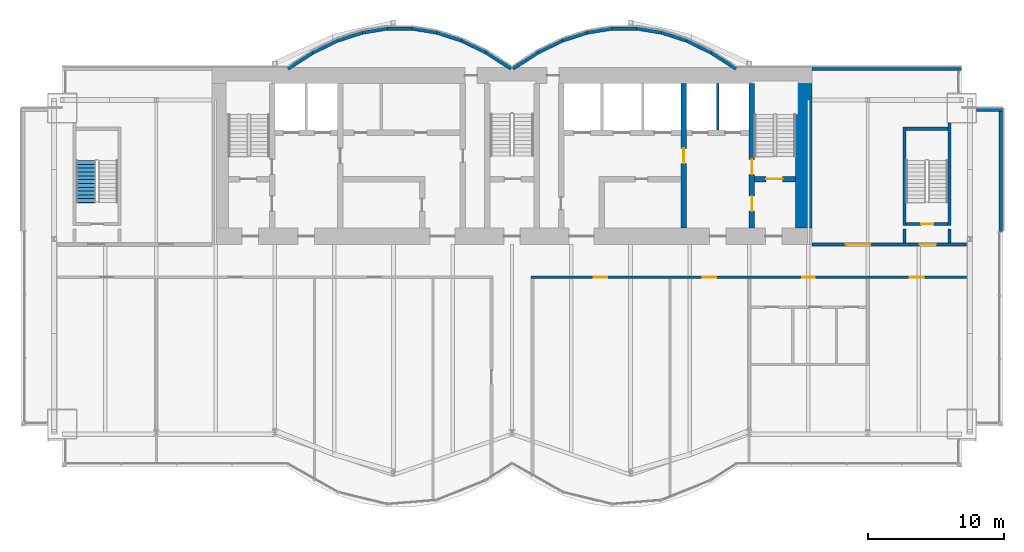
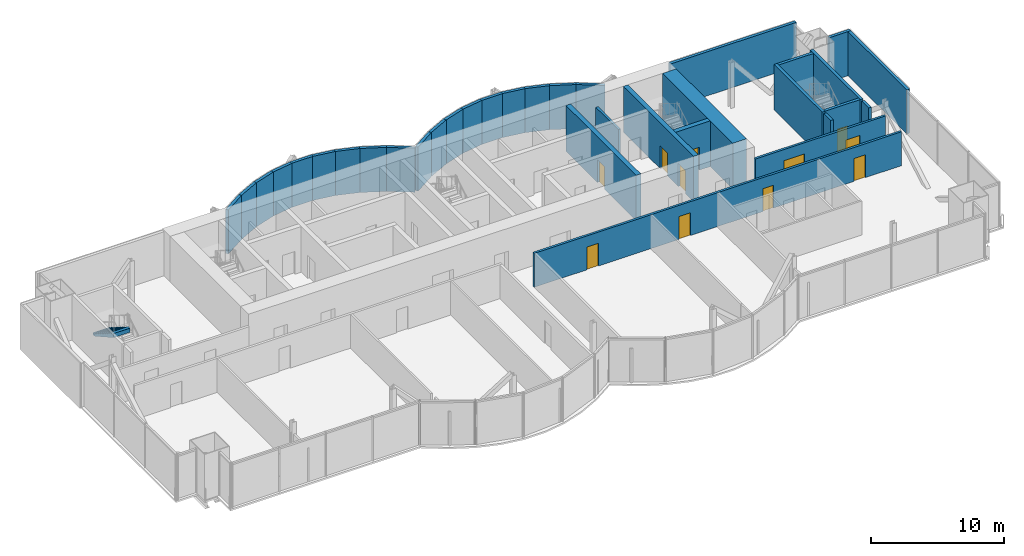
# One storey, part 15 of 19: 34 walls, 11 doors, 1 stair flight, 11 openings, 1 element without a shape of its own.
"""IFC4 building model written with IfcOpenShell, lengths in metres."""

from ifc_helpers import new_model, si_unit, direction, frame, frame_2d, origin, place, context, subcontext, project, spatial, polyline, rectangle, outline, extrude, material, layer, layer_set, layer_usage, type_object, element, fill, aggregate, save


model = new_model("IFC4")

# Units and contexts
model_context = context("Model", 3, precision=1e-05, world=origin(), true_north=direction((0.0, 1.0)))
body_context = subcontext(model_context, "Body", "Model", "MODEL_VIEW")
ifc_project = project(units=[si_unit("LENGTHUNIT", "METRE"), si_unit("AREAUNIT", "SQUARE_METRE"), si_unit("VOLUMEUNIT", "CUBIC_METRE"), si_unit("PLANEANGLEUNIT", "RADIAN"), si_unit("MASSUNIT", "GRAM", prefix="KILO")], contexts=[model_context])

# Site, building, storey
site_placement = place(None, origin())
site = spatial("IfcSite", under=ifc_project, at=site_placement, CompositionType="ELEMENT")
building_placement = place(site_placement, origin())
building = spatial("IfcBuilding", under=site, at=building_placement, Name="Bicima Exchange Tower", CompositionType="ELEMENT")
storey_placement = place(building_placement, frame((0.0, 0.0, 258.199951171875)))
storey = spatial("IfcBuildingStorey", under=building, at=storey_placement, Name="L58", CompositionType="ELEMENT", Elevation=258.199951171875)

# Wall
ifc_material_1 = material(Name="Gypsum board partition")
ifc_layer_1 = layer(ifc_material_1, 0.199951171875)
ifc_layer_set_1 = layer_set([ifc_layer_1], Name="Gypsum board partition")
wall_type_1 = type_object("IfcWallType", Name="Fire-rated gypsum partition 200 EI120", PredefinedType="PARTITIONING", material=ifc_layer_set_1)
wall_1_placement = place(storey_placement, frame((15.10009765625, -4.60009765625, 0.0), z_axis=(0.0, 0.0, 1.0), x_axis=(0.0, 1.0, 0.0)))
element("IfcWall", 1, at=wall_1_placement, inside=storey, type_object=wall_type_1, Name="partition wall 21", PredefinedType="PARTITIONING", context=body_context, shape_type="SweptSolid", body=[
    extrude(rectangle(XDim=3.400146484375, YDim=0.199951171875, at=frame_2d((1.7001953125, 0.0))), origin(), (0.0, 0.0, 1.0), 3.1181640625),
])

# Wall, openings, doors
ifc_layer_2 = layer(ifc_material_1, 0.199951171875)
ifc_layer_set_2 = layer_set([ifc_layer_2], Name="Gypsum board partition")
wall_type_2 = type_object("IfcWallType", Name="Fire-rated gypsum partition 200 EI60", PredefinedType="PARTITIONING", material=ifc_layer_set_2)
wall_2_placement = place(storey_placement, frame((1.39990234375, -15.39990234375, 0.0), z_axis=(0.0, 0.0, 1.0), x_axis=(1.0, 0.0, 0.0)))
wall_2 = element("IfcWall", 2, at=wall_2_placement, inside=storey, type_object=wall_type_2, Name="partition wall 4", PredefinedType="PARTITIONING", context=body_context, shape_type="SweptSolid", body=[
    extrude(rectangle(XDim=31.940185546875, YDim=0.199951171875, at=frame_2d((15.97021484375, 0.0))), origin(), (0.0, 0.0, 1.0), 3.1181640625),
])
opening_1_placement = place(wall_2_placement, frame((4.60009765625, 0.0, 0.0)))
opening_1 = element("IfcOpeningElement", 3, at=opening_1_placement, cuts=wall_2, Name="Opening L58-011", PredefinedType="OPENING", context=body_context, shape_type="SweptSolid", body=[
    extrude(rectangle(XDim=1.0, YDim=2.10009765625, at=frame_2d((0.5, 1.050048828125))), frame((0.0, 0.11181640625, 0.0), z_axis=(0.0, -1.0, 0.0), x_axis=(1.0, 0.0, 0.0)), (0.0, 0.0, 1.0), 0.223876953125),
])
opening_2_placement = place(wall_2_placement, frame((12.60009765625, 0.0, 0.0)))
opening_2 = element("IfcOpeningElement", 4, at=opening_2_placement, cuts=wall_2, Name="Opening L58-012", PredefinedType="OPENING", context=body_context, shape_type="SweptSolid", body=[
    extrude(rectangle(XDim=1.0, YDim=2.10009765625, at=frame_2d((0.5, 1.050048828125))), frame((0.0, 0.11181640625, 0.0), z_axis=(0.0, -1.0, 0.0), x_axis=(1.0, 0.0, 0.0)), (0.0, 0.0, 1.0), 0.223876953125),
])
opening_3_placement = place(wall_2_placement, frame((19.89990234375, 0.0, 0.0)))
opening_3 = element("IfcOpeningElement", 5, at=opening_3_placement, cuts=wall_2, Name="Opening L58-013", PredefinedType="OPENING", context=body_context, shape_type="SweptSolid", body=[
    extrude(rectangle(XDim=0.89990234375, YDim=2.10009765625, at=frame_2d((0.449951171875, 1.050048828125))), frame((0.0, 0.11181640625, 0.0), z_axis=(0.0, -1.0, 0.0), x_axis=(1.0, 0.0, 0.0)), (0.0, 0.0, 1.0), 0.223876953125),
])
opening_4_placement = place(wall_2_placement, frame((27.800048828125, 0.0, 0.0)))
opening_4 = element("IfcOpeningElement", 6, at=opening_4_placement, cuts=wall_2, Name="Opening L58-017", PredefinedType="OPENING", context=body_context, shape_type="SweptSolid", body=[
    extrude(rectangle(XDim=1.0, YDim=2.10009765625, at=frame_2d((0.5, 1.050048828125))), frame((0.0, 0.11181640625, 0.0), z_axis=(0.0, -1.0, 0.0), x_axis=(1.0, 0.0, 0.0)), (0.0, 0.0, 1.0), 0.223876953125),
])
ifc_material_2 = material(Name="Steel fire door leaf", Category="steel")
door_type_1 = type_object("IfcDoorType", Name="Door 1000 swing FD30S", OperationType="SINGLE_SWING_LEFT", PredefinedType="DOOR", material=ifc_material_2)
door_1_placement = place(opening_1_placement, frame((1.0, 0.0, 0.0), z_axis=(0.0, 0.0, 1.0), x_axis=(-1.0, 0.0, 0.0)))
door_1 = element("IfcDoor", 7, at=door_1_placement, inside=storey, type_object=door_type_1, Name="Door", OperationType="SINGLE_SWING_RIGHT", OverallHeight=2.10009765625, OverallWidth=1.0, PredefinedType="DOOR", context=body_context, shape_type="SweptSolid", body=[
    extrude(rectangle(XDim=1.0, YDim=2.10009765625, at=frame_2d((0.5, 1.050048828125))), frame((0.0, 0.02490234375, 0.0), z_axis=(0.0, -1.0, 0.0), x_axis=(1.0, 0.0, 0.0)), (0.0, 0.0, 1.0), 0.050048828125),
])
fill(opening_1, door_1)
door_2_placement = place(opening_2_placement, frame((1.0, 0.0, 0.0), z_axis=(0.0, 0.0, 1.0), x_axis=(-1.0, 0.0, 0.0)))
door_2 = element("IfcDoor", 8, at=door_2_placement, inside=storey, type_object=door_type_1, Name="Door", OperationType="SINGLE_SWING_RIGHT", OverallHeight=2.10009765625, OverallWidth=1.0, PredefinedType="DOOR", context=body_context, shape_type="SweptSolid", body=[
    extrude(rectangle(XDim=1.0, YDim=2.10009765625, at=frame_2d((0.5, 1.050048828125))), frame((0.0, 0.02490234375, 0.0), z_axis=(0.0, -1.0, 0.0), x_axis=(1.0, 0.0, 0.0)), (0.0, 0.0, 1.0), 0.050048828125),
])
fill(opening_2, door_2)
door_3_placement = place(opening_4_placement, frame((1.0, 0.0, 0.0), z_axis=(0.0, 0.0, 1.0), x_axis=(-1.0, 0.0, 0.0)))
door_3 = element("IfcDoor", 9, at=door_3_placement, inside=storey, type_object=door_type_1, Name="Door", OperationType="SINGLE_SWING_RIGHT", OverallHeight=2.10009765625, OverallWidth=1.0, PredefinedType="DOOR", context=body_context, shape_type="SweptSolid", body=[
    extrude(rectangle(XDim=1.0, YDim=2.10009765625, at=frame_2d((0.5, 1.050048828125))), frame((0.0, 0.02490234375, 0.0), z_axis=(0.0, -1.0, 0.0), x_axis=(1.0, 0.0, 0.0)), (0.0, 0.0, 1.0), 0.050048828125),
])
fill(opening_4, door_3)
door_type_2 = type_object("IfcDoorType", Name="Door 900 swing FD30S", OperationType="SINGLE_SWING_LEFT", PredefinedType="DOOR", material=ifc_material_2)
door_4_placement = place(opening_3_placement, frame((0.89990234375, 0.0, 0.0), z_axis=(0.0, 0.0, 1.0), x_axis=(-1.0, 0.0, 0.0)))
door_4 = element("IfcDoor", 10, at=door_4_placement, inside=storey, type_object=door_type_2, Name="Door", OperationType="SINGLE_SWING_LEFT", OverallHeight=2.10009765625, OverallWidth=0.89990234375, PredefinedType="DOOR", context=body_context, shape_type="SweptSolid", body=[
    extrude(rectangle(XDim=0.89990234375, YDim=2.10009765625, at=frame_2d((0.449951171875, 1.050048828125))), frame((0.0, 0.02490234375, 0.0), z_axis=(0.0, -1.0, 0.0), x_axis=(1.0, 0.0, 0.0)), (0.0, 0.0, 1.0), 0.050048828125),
])
fill(opening_3, door_4)

wall_3_placement = place(storey_placement, frame((22.0, -13.0, 0.0), z_axis=(0.0, 0.0, 1.0), x_axis=(1.0, 0.0, 0.0)))
wall_3 = element("IfcWall", 11, at=wall_3_placement, inside=storey, type_object=wall_type_2, Name="partition wall 6", PredefinedType="PARTITIONING", context=body_context, shape_type="SweptSolid", body=[
    extrude(rectangle(XDim=11.340087890625, YDim=0.199951171875, at=frame_2d((5.669921875, 0.0))), origin(), (0.0, 0.0, 1.0), 3.1181640625),
])
opening_5_placement = place(wall_3_placement, frame((7.89990234375, 0.0, 0.0)))
opening_5 = element("IfcOpeningElement", 12, at=opening_5_placement, cuts=wall_3, Name="Opening L58-003", PredefinedType="OPENING", context=body_context, shape_type="SweptSolid", body=[
    extrude(rectangle(XDim=1.199951171875, YDim=2.10009765625, at=frame_2d((0.60009765625, 1.050048828125))), frame((0.0, 0.11181640625, 0.0), z_axis=(0.0, -1.0, 0.0), x_axis=(1.0, 0.0, 0.0)), (0.0, 0.0, 1.0), 0.223876953125),
])
opening_6_placement = place(wall_3_placement, frame((2.5, 0.0, 0.0)))
opening_6 = element("IfcOpeningElement", 13, at=opening_6_placement, cuts=wall_3, Name="Opening L58-006", PredefinedType="OPENING", context=body_context, shape_type="SweptSolid", body=[
    extrude(rectangle(XDim=1.800048828125, YDim=2.10009765625, at=frame_2d((0.89990234375, 1.050048828125))), frame((0.0, 0.11181640625, 0.0), z_axis=(0.0, -1.0, 0.0), x_axis=(1.0, 0.0, 0.0)), (0.0, 0.0, 1.0), 0.223876953125),
])
door_type_3 = type_object("IfcDoorType", Name="Door 1200 swing FD30S", OperationType="SINGLE_SWING_LEFT", PredefinedType="DOOR", material=ifc_material_2)
door_5_placement = place(opening_5_placement, origin())
door_5 = element("IfcDoor", 14, at=door_5_placement, inside=storey, type_object=door_type_3, Name="Door", OperationType="SINGLE_SWING_RIGHT", OverallHeight=2.10009765625, OverallWidth=1.199951171875, PredefinedType="DOOR", context=body_context, shape_type="SweptSolid", body=[
    extrude(rectangle(XDim=1.199951171875, YDim=2.10009765625, at=frame_2d((0.60009765625, 1.050048828125))), frame((0.0, 0.02490234375, 0.0), z_axis=(0.0, -1.0, 0.0), x_axis=(1.0, 0.0, 0.0)), (0.0, 0.0, 1.0), 0.050048828125),
])
fill(opening_5, door_5)
door_type_4 = type_object("IfcDoorType", Name="Door 1800 double swing FD30S", OperationType="DOUBLE_DOOR_SINGLE_SWING", PredefinedType="DOOR", material=ifc_material_2)
door_6_placement = place(opening_6_placement, origin())
door_6 = element("IfcDoor", 15, at=door_6_placement, inside=storey, type_object=door_type_4, Name="Door", OperationType="SINGLE_SWING_LEFT", OverallHeight=2.10009765625, OverallWidth=1.800048828125, PredefinedType="DOOR", context=body_context, shape_type="SweptSolid", body=[
    extrude(rectangle(XDim=1.800048828125, YDim=2.10009765625, at=frame_2d((0.89990234375, 1.050048828125))), frame((0.0, 0.02490234375, 0.0), z_axis=(0.0, -1.0, 0.0), x_axis=(1.0, 0.0, 0.0)), (0.0, 0.0, 1.0), 0.050048828125),
])
fill(opening_6, door_6)

# Walls
ifc_material_3 = material(Name="Concrete C40/50", Category="concrete")
ifc_layer_3 = layer(ifc_material_3, 1.199951171875)
ifc_layer_set_3 = layer_set([ifc_layer_3], Name="Concrete C40/50")
wall_type_3 = type_object("IfcWallType", Name="RC core wall 1200 C40/50", PredefinedType="SHEAR", material=ifc_layer_set_3)
wall_4_placement = place(storey_placement, frame((21.39990234375, -11.800048828125, 0.0), z_axis=(0.0, 0.0, 1.0), x_axis=(0.0, 1.0, 0.0)))
element("IfcWall", 16, at=wall_4_placement, inside=storey, type_object=wall_type_3, Name="Core wall east", PredefinedType="SHEAR", context=body_context, shape_type="SweptSolid", body=[
    extrude(rectangle(XDim=10.60009765625, YDim=1.199951171875, at=frame_2d((5.300048828125, 0.0))), origin(), (0.0, 0.0, 1.0), 4.199951171875),
])
ifc_material_4 = material(Name="Concrete C50/60", Category="concrete")
ifc_layer_4 = layer(ifc_material_4, 0.25)
ifc_layer_set_4 = layer_set([ifc_layer_4], Name="Concrete C50/60")
wall_type_4 = type_object("IfcWallType", Name="RC core wall 250 C50/60", PredefinedType="SHEAR", material=ifc_layer_set_4)
for number, where, z_axis, x_axis, name in (
    (17, (28.800048828125, -12.89990234375, 0.0), (0.0, 0.0, 1.0), (0.0, 1.0, 0.0), "stair wall 26"),
    (18, (32.10009765625, -12.89990234375, 0.0), (0.0, 0.0, 1.0), (0.0, 1.0, 0.0), "stair wall 27"),
):
    element("IfcWall", number, at=place(storey_placement, frame(where, z_axis=z_axis, x_axis=x_axis)), inside=storey, type_object=wall_type_4, Name=name, PredefinedType="SHEAR", context=body_context, shape_type="SweptSolid", body=[
        extrude(rectangle(XDim=1.0498046875, YDim=0.25, at=frame_2d((0.52490234375, 0.0))), origin(), (0.0, 0.0, 1.0), 4.199951171875),
    ])

# Wall, opening, door
ifc_layer_5 = layer(ifc_material_3, 0.39990234375)
ifc_layer_set_5 = layer_set([ifc_layer_5], Name="Concrete C40/50")
wall_type_5 = type_object("IfcWallType", Name="RC core wall 400 C40/50", PredefinedType="SHEAR", material=ifc_layer_set_5)
wall_5_placement = place(storey_placement, frame((12.60009765625, -11.800048828125, 0.0), z_axis=(0.0, 0.0, 1.0), x_axis=(0.0, 1.0, 0.0)))
wall_5 = element("IfcWall", 19, at=wall_5_placement, inside=storey, type_object=wall_type_5, Name="shear wall 20", PredefinedType="SHEAR", context=body_context, shape_type="SweptSolid", body=[
    extrude(rectangle(XDim=10.60009765625, YDim=0.39990234375, at=frame_2d((5.300048828125, 0.0))), origin(), (0.0, 0.0, 1.0), 4.199951171875),
])
opening_7_placement = place(wall_5_placement, frame((4.75, 0.0, 0.0)))
opening_7 = element("IfcOpeningElement", 20, at=opening_7_placement, cuts=wall_5, Name="Opening L58-C09", PredefinedType="OPENING", context=body_context, shape_type="SweptSolid", body=[
    extrude(rectangle(XDim=1.10009765625, YDim=2.10009765625, at=frame_2d((0.550048828125, 1.050048828125))), frame((0.0, 0.2119140625, 0.0), z_axis=(0.0, -1.0, 0.0), x_axis=(1.0, 0.0, 0.0)), (0.0, 0.0, 1.0), 0.423828125),
])
door_type_5 = type_object("IfcDoorType", Name="Door 1100 swing FD60S", OperationType="SINGLE_SWING_LEFT", PredefinedType="DOOR", material=ifc_material_2)
door_7_placement = place(opening_7_placement, frame((1.10009765625, 0.0, 0.0), z_axis=(0.0, 0.0, 1.0), x_axis=(-1.0, 0.0, 0.0)))
door_7 = element("IfcDoor", 21, at=door_7_placement, inside=storey, type_object=door_type_5, Name="Core door", OperationType="SINGLE_SWING_RIGHT", OverallHeight=2.10009765625, OverallWidth=1.10009765625, PredefinedType="DOOR", context=body_context, shape_type="SweptSolid", body=[
    extrude(rectangle(XDim=1.10009765625, YDim=2.10009765625, at=frame_2d((0.550048828125, 1.050048828125))), frame((0.0, 0.02490234375, 0.0), z_axis=(0.0, -1.0, 0.0), x_axis=(1.0, 0.0, 0.0)), (0.0, 0.0, 1.0), 0.050048828125),
])
fill(opening_7, door_7)

ifc_layer_6 = layer(ifc_material_4, 0.39990234375)
ifc_layer_set_6 = layer_set([ifc_layer_6], Name="Concrete C50/60")
wall_type_6 = type_object("IfcWallType", Name="RC core wall 400 C50/60", PredefinedType="SHEAR", material=ifc_layer_set_6)
wall_6_placement = place(storey_placement, frame((17.800048828125, -8.199951171875, 0.0), z_axis=(0.0, 0.0, 1.0), x_axis=(1.0, 0.0, 0.0)))
wall_6 = element("IfcWall", 22, at=wall_6_placement, inside=storey, type_object=wall_type_6, Name="stair wall 5", PredefinedType="SHEAR", context=body_context, shape_type="SweptSolid", body=[
    extrude(rectangle(XDim=3.0, YDim=0.39990234375, at=frame_2d((1.5, 0.0))), origin(), (0.0, 0.0, 1.0), 4.199951171875),
])
opening_8_placement = place(wall_6_placement, frame((0.85009765625, 0.0, 0.0)))
opening_8 = element("IfcOpeningElement", 23, at=opening_8_placement, cuts=wall_6, Name="Opening L58-C04", PredefinedType="OPENING", context=body_context, shape_type="SweptSolid", body=[
    extrude(rectangle(XDim=1.199951171875, YDim=2.10009765625, at=frame_2d((0.60009765625, 1.050048828125))), frame((0.0, 0.2119140625, 0.0), z_axis=(0.0, -1.0, 0.0), x_axis=(1.0, 0.0, 0.0)), (0.0, 0.0, 1.0), 0.423828125),
])
door_type_6 = type_object("IfcDoorType", Name="Door 1200 swing FD60S", OperationType="SINGLE_SWING_LEFT", PredefinedType="DOOR", material=ifc_material_2)
door_8_placement = place(opening_8_placement, origin())
door_8 = element("IfcDoor", 24, at=door_8_placement, inside=storey, type_object=door_type_6, Name="Core door", OperationType="SINGLE_SWING_RIGHT", OverallHeight=2.10009765625, OverallWidth=1.199951171875, PredefinedType="DOOR", context=body_context, shape_type="SweptSolid", body=[
    extrude(rectangle(XDim=1.199951171875, YDim=2.10009765625, at=frame_2d((0.60009765625, 1.050048828125))), frame((0.0, 0.02490234375, 0.0), z_axis=(0.0, -1.0, 0.0), x_axis=(1.0, 0.0, 0.0)), (0.0, 0.0, 1.0), 0.050048828125),
])
fill(opening_8, door_8)

# Wall, openings, doors
wall_7_placement = place(storey_placement, frame((17.60009765625, -11.800048828125, 0.0), z_axis=(0.0, 0.0, 1.0), x_axis=(0.0, 1.0, 0.0)))
wall_7 = element("IfcWall", 25, at=wall_7_placement, inside=storey, type_object=wall_type_6, Name="stair wall 22", PredefinedType="SHEAR", context=body_context, shape_type="SweptSolid", body=[
    extrude(rectangle(XDim=10.60009765625, YDim=0.39990234375, at=frame_2d((5.300048828125, 0.0))), origin(), (0.0, 0.0, 1.0), 4.199951171875),
])
opening_9_placement = place(wall_7_placement, frame((1.25, 0.0, 0.0)))
opening_9 = element("IfcOpeningElement", 26, at=opening_9_placement, cuts=wall_7, Name="Opening L58-C05", PredefinedType="OPENING", context=body_context, shape_type="SweptSolid", body=[
    extrude(rectangle(XDim=1.10009765625, YDim=2.10009765625, at=frame_2d((0.550048828125, 1.050048828125))), frame((0.0, 0.2119140625, 0.0), z_axis=(0.0, -1.0, 0.0), x_axis=(1.0, 0.0, 0.0)), (0.0, 0.0, 1.0), 0.423828125),
])
opening_10_placement = place(wall_7_placement, frame((3.949951171875, 0.0, 0.0)))
opening_10 = element("IfcOpeningElement", 27, at=opening_10_placement, cuts=wall_7, Name="Opening L58-C08", PredefinedType="OPENING", context=body_context, shape_type="SweptSolid", body=[
    extrude(rectangle(XDim=1.10009765625, YDim=2.10009765625, at=frame_2d((0.550048828125, 1.050048828125))), frame((0.0, 0.2119140625, 0.0), z_axis=(0.0, -1.0, 0.0), x_axis=(1.0, 0.0, 0.0)), (0.0, 0.0, 1.0), 0.423828125),
])
door_9_placement = place(opening_9_placement, origin())
door_9 = element("IfcDoor", 28, at=door_9_placement, inside=storey, type_object=door_type_5, Name="Core door", OperationType="SINGLE_SWING_LEFT", OverallHeight=2.10009765625, OverallWidth=1.10009765625, PredefinedType="DOOR", context=body_context, shape_type="SweptSolid", body=[
    extrude(rectangle(XDim=1.10009765625, YDim=2.10009765625, at=frame_2d((0.550048828125, 1.050048828125))), frame((0.0, 0.02490234375, 0.0), z_axis=(0.0, -1.0, 0.0), x_axis=(1.0, 0.0, 0.0)), (0.0, 0.0, 1.0), 0.050048828125),
])
fill(opening_9, door_9)
door_10_placement = place(opening_10_placement, origin())
door_10 = element("IfcDoor", 29, at=door_10_placement, inside=storey, type_object=door_type_5, Name="Core door", OperationType="SINGLE_SWING_RIGHT", OverallHeight=2.10009765625, OverallWidth=1.10009765625, PredefinedType="DOOR", context=body_context, shape_type="SweptSolid", body=[
    extrude(rectangle(XDim=1.10009765625, YDim=2.10009765625, at=frame_2d((0.550048828125, 1.050048828125))), frame((0.0, 0.02490234375, 0.0), z_axis=(0.0, -1.0, 0.0), x_axis=(1.0, 0.0, 0.0)), (0.0, 0.0, 1.0), 0.050048828125),
])
fill(opening_10, door_10)

# Walls
ifc_layer_7 = layer(ifc_material_4, 0.25)
ifc_layer_set_7 = layer_set([ifc_layer_7], Name="Concrete C50/60")
wall_type_7 = type_object("IfcWallType", Name="RC stair enclosure wall 250 C50/60", PredefinedType="SHEAR", material=ifc_layer_set_7)
wall_8_placement = place(storey_placement, frame((28.800048828125, -11.625, 0.0), z_axis=(0.0, 0.0, 1.0), x_axis=(0.0, 1.0, 0.0)))
element("IfcWall", 30, at=wall_8_placement, inside=storey, type_object=wall_type_7, Name="East end exit stair wall W", PredefinedType="SHEAR", context=body_context, shape_type="SweptSolid", body=[
    extrude(rectangle(XDim=7.25, YDim=0.25, at=frame_2d((3.625, 0.0))), origin(), (0.0, 0.0, 1.0), 4.199951171875),
])
wall_9_placement = place(storey_placement, frame((32.10009765625, -11.625, 0.0), z_axis=(0.0, 0.0, 1.0), x_axis=(0.0, 1.0, 0.0)))
element("IfcWall", 31, at=wall_9_placement, inside=storey, type_object=wall_type_7, Name="East end exit stair wall E", PredefinedType="SHEAR", context=body_context, shape_type="SweptSolid", body=[
    extrude(rectangle(XDim=7.52490234375, YDim=0.25, at=frame_2d((3.762451171875, 0.0))), origin(), (0.0, 0.0, 1.0), 4.199951171875),
])

# Wall, opening, door
wall_10_placement = place(storey_placement, frame((28.925048828125, -11.5, 0.0), z_axis=(0.0, 0.0, 1.0), x_axis=(1.0, 0.0, 0.0)))
wall_10 = element("IfcWall", 32, at=wall_10_placement, inside=storey, type_object=wall_type_7, Name="East end exit stair wall S", PredefinedType="SHEAR", context=body_context, shape_type="SweptSolid", body=[
    extrude(rectangle(XDim=3.050048828125, YDim=0.25, at=frame_2d((1.52490234375, 0.0))), origin(), (0.0, 0.0, 1.0), 4.199951171875),
])
opening_11_placement = place(wall_10_placement, frame((1.10009765625, 0.0, 0.0)))
opening_11 = element("IfcOpeningElement", 33, at=opening_11_placement, cuts=wall_10, Name="Opening L58-004", PredefinedType="OPENING", context=body_context, shape_type="SweptSolid", body=[
    extrude(rectangle(XDim=0.89990234375, YDim=2.10009765625, at=frame_2d((0.449951171875, 1.050048828125))), frame((0.0, 0.136962890625, 0.0), z_axis=(0.0, -1.0, 0.0), x_axis=(1.0, 0.0, 0.0)), (0.0, 0.0, 1.0), 0.27392578125),
])
door_type_7 = type_object("IfcDoorType", Name="Door 900 swing FD60S", OperationType="SINGLE_SWING_LEFT", PredefinedType="DOOR", material=ifc_material_2)
door_11_placement = place(opening_11_placement, origin())
door_11 = element("IfcDoor", 34, at=door_11_placement, inside=storey, type_object=door_type_7, Name="Door", OperationType="SINGLE_SWING_LEFT", OverallHeight=2.10009765625, OverallWidth=0.89990234375, PredefinedType="DOOR", context=body_context, shape_type="SweptSolid", body=[
    extrude(rectangle(XDim=0.89990234375, YDim=2.10009765625, at=frame_2d((0.449951171875, 1.050048828125))), frame((0.0, 0.02490234375, 0.0), z_axis=(0.0, -1.0, 0.0), x_axis=(1.0, 0.0, 0.0)), (0.0, 0.0, 1.0), 0.050048828125),
])
fill(opening_11, door_11)

# Walls
wall_11_placement = place(storey_placement, frame((28.925048828125, -4.5, 0.0), z_axis=(0.0, 0.0, 1.0), x_axis=(1.0, 0.0, 0.0)))
element("IfcWall", 35, at=wall_11_placement, inside=storey, type_object=wall_type_7, Name="East end exit stair wall N", PredefinedType="SHEAR", context=body_context, shape_type="SweptSolid", body=[
    extrude(rectangle(XDim=3.050048828125, YDim=0.25, at=frame_2d((1.52490234375, 0.0))), origin(), (0.0, 0.0, 1.0), 4.199951171875),
])
ifc_layer_8 = layer(ifc_material_3, 0.25)
ifc_layer_set_8 = layer_set([ifc_layer_8], Name="Concrete C40/50")
ifc_layer_usage = layer_usage(ifc_layer_set_8, "AXIS2", "POSITIVE", -0.125)
wall_type_8 = type_object("IfcWallType", Name="Rear backup wall 250", PredefinedType="STANDARD", material=ifc_layer_set_8)
wall_12_placement = place(storey_placement, frame((33.0, -0.125, 0.0), z_axis=(0.0, 0.0, 1.0), x_axis=(-1.0, 0.0, 0.0)))
element("IfcWall", 36, at=wall_12_placement, inside=storey, type_object=wall_type_8, material=ifc_layer_usage, Name="Rear backup wall L58 1", PredefinedType="STANDARD", context=body_context, shape_type="SweptSolid", body=[
    extrude(rectangle(XDim=11.0, YDim=0.25, at=frame_2d((5.5, 0.0))), origin(), (0.0, 0.0, 1.0), 4.050048828125),
])
wall_13_placement = place(storey_placement, frame((16.43212890625, -0.10498046875, 0.0), z_axis=(0.0, 0.0, 1.0), x_axis=(-0.83981312244, 0.542875602121, 0.0)))
element("IfcWall", 37, at=wall_13_placement, inside=storey, type_object=wall_type_8, material=ifc_layer_usage, Name="Rear backup wall L58 2", PredefinedType="STANDARD", context=body_context, shape_type="SweptSolid", body=[
    extrude(rectangle(XDim=2.182861328125, YDim=0.25, at=frame_2d((1.09130859375, 0.0))), origin(), (0.0, 0.0, 1.0), 4.050048828125),
])
wall_14_placement = place(storey_placement, frame((14.6123046875, 1.07275390625, 0.0), z_axis=(0.0, 0.0, 1.0), x_axis=(-0.89982408427, 0.436252928206, 0.0)))
element("IfcWall", 38, at=wall_14_placement, inside=storey, type_object=wall_type_8, material=ifc_layer_usage, Name="Rear backup wall L58 3", PredefinedType="STANDARD", context=body_context, shape_type="SweptSolid", body=[
    extrude(rectangle(XDim=2.03759765625, YDim=0.25, at=frame_2d((1.018798828125, 0.0))), origin(), (0.0, 0.0, 1.0), 4.050048828125),
])
wall_15_placement = place(storey_placement, frame((12.794921875, 1.955078125, 0.0), z_axis=(0.0, 0.0, 1.0), x_axis=(-0.951495806175, 0.307661714928, 0.0)))
element("IfcWall", 39, at=wall_15_placement, inside=storey, type_object=wall_type_8, material=ifc_layer_usage, Name="Rear backup wall L58 4", PredefinedType="STANDARD", context=body_context, shape_type="SweptSolid", body=[
    extrude(rectangle(XDim=1.9267578125, YDim=0.25, at=frame_2d((0.96337890625, 0.0))), origin(), (0.0, 0.0, 1.0), 4.050048828125),
])
wall_16_placement = place(storey_placement, frame((10.97998046875, 2.543212890625, 0.0), z_axis=(0.0, 0.0, 1.0), x_axis=(-0.987181718931, 0.159600293885, 0.0)))
element("IfcWall", 40, at=wall_16_placement, inside=storey, type_object=wall_type_8, material=ifc_layer_usage, Name="Rear backup wall L58 5", PredefinedType="STANDARD", context=body_context, shape_type="SweptSolid", body=[
    extrude(rectangle(XDim=1.857177734375, YDim=0.25, at=frame_2d((0.9287109375, 0.0))), origin(), (0.0, 0.0, 1.0), 4.050048828125),
])
wall_17_placement = place(storey_placement, frame((9.166748046875, 2.837890625, 0.0), z_axis=(0.0, 0.0, 1.0), x_axis=(-1.0, 0.0, 0.0)))
element("IfcWall", 41, at=wall_17_placement, inside=storey, type_object=wall_type_8, material=ifc_layer_usage, Name="Rear backup wall L58 6", PredefinedType="STANDARD", context=body_context, shape_type="SweptSolid", body=[
    extrude(rectangle(XDim=1.83349609375, YDim=0.25, at=frame_2d((0.916748046875, 0.0))), origin(), (0.0, 0.0, 1.0), 4.050048828125),
])
wall_18_placement = place(storey_placement, frame((7.353271484375, 2.839599609375, 0.0), z_axis=(0.0, 0.0, 1.0), x_axis=(-0.987181718931, -0.159600293885, 0.0)))
element("IfcWall", 42, at=wall_18_placement, inside=storey, type_object=wall_type_8, material=ifc_layer_usage, Name="Rear backup wall L58 7", PredefinedType="STANDARD", context=body_context, shape_type="SweptSolid", body=[
    extrude(rectangle(XDim=1.857177734375, YDim=0.25, at=frame_2d((0.9287109375, 0.0))), origin(), (0.0, 0.0, 1.0), 4.050048828125),
])
wall_19_placement = place(storey_placement, frame((5.538330078125, 2.5478515625, 0.0), z_axis=(0.0, 0.0, 1.0), x_axis=(-0.951495806175, -0.307661714928, 0.0)))
element("IfcWall", 43, at=wall_19_placement, inside=storey, type_object=wall_type_8, material=ifc_layer_usage, Name="Rear backup wall L58 8", PredefinedType="STANDARD", context=body_context, shape_type="SweptSolid", body=[
    extrude(rectangle(XDim=1.9267578125, YDim=0.25, at=frame_2d((0.96337890625, 0.0))), origin(), (0.0, 0.0, 1.0), 4.050048828125),
])
wall_20_placement = place(storey_placement, frame((3.72119140625, 1.961669921875, 0.0), z_axis=(0.0, 0.0, 1.0), x_axis=(-0.89982408427, -0.436252928206, 0.0)))
element("IfcWall", 44, at=wall_20_placement, inside=storey, type_object=wall_type_8, material=ifc_layer_usage, Name="Rear backup wall L58 9", PredefinedType="STANDARD", context=body_context, shape_type="SweptSolid", body=[
    extrude(rectangle(XDim=2.03759765625, YDim=0.25, at=frame_2d((1.018798828125, 0.0))), origin(), (0.0, 0.0, 1.0), 4.050048828125),
])
for number, where, z_axis, x_axis, name in (
    (45, (1.901123046875, 1.080078125, 0.0), (0.0, 0.0, 1.0), (-0.83981312244, -0.542875602121, 0.0), "Rear backup wall L58 10"),
    (46, (-0.06787109375, -0.10498046875, 0.0), (0.0, 0.0, 1.0), (-0.83981312244, 0.542875602121, 0.0), "Rear backup wall L58 11"),
):
    element("IfcWall", number, at=place(storey_placement, frame(where, z_axis=z_axis, x_axis=x_axis)), inside=storey, type_object=wall_type_8, material=ifc_layer_usage, Name=name, PredefinedType="STANDARD", context=body_context, shape_type="SweptSolid", body=[
        extrude(rectangle(XDim=2.182861328125, YDim=0.25, at=frame_2d((1.09130859375, 0.0))), origin(), (0.0, 0.0, 1.0), 4.050048828125),
    ])
wall_21_placement = place(storey_placement, frame((-1.8876953125, 1.07275390625, 0.0), z_axis=(0.0, 0.0, 1.0), x_axis=(-0.89982408427, 0.436252928206, 0.0)))
element("IfcWall", 47, at=wall_21_placement, inside=storey, type_object=wall_type_8, material=ifc_layer_usage, Name="Rear backup wall L58 12", PredefinedType="STANDARD", context=body_context, shape_type="SweptSolid", body=[
    extrude(rectangle(XDim=2.03759765625, YDim=0.25, at=frame_2d((1.018798828125, 0.0))), origin(), (0.0, 0.0, 1.0), 4.050048828125),
])
wall_22_placement = place(storey_placement, frame((-3.705078125, 1.955078125, 0.0), z_axis=(0.0, 0.0, 1.0), x_axis=(-0.951495806175, 0.307661714928, 0.0)))
element("IfcWall", 48, at=wall_22_placement, inside=storey, type_object=wall_type_8, material=ifc_layer_usage, Name="Rear backup wall L58 13", PredefinedType="STANDARD", context=body_context, shape_type="SweptSolid", body=[
    extrude(rectangle(XDim=1.9267578125, YDim=0.25, at=frame_2d((0.96337890625, 0.0))), origin(), (0.0, 0.0, 1.0), 4.050048828125),
])
wall_23_placement = place(storey_placement, frame((-5.52001953125, 2.543212890625, 0.0), z_axis=(0.0, 0.0, 1.0), x_axis=(-0.987181718931, 0.159600293885, 0.0)))
element("IfcWall", 49, at=wall_23_placement, inside=storey, type_object=wall_type_8, material=ifc_layer_usage, Name="Rear backup wall L58 14", PredefinedType="STANDARD", context=body_context, shape_type="SweptSolid", body=[
    extrude(rectangle(XDim=1.857177734375, YDim=0.25, at=frame_2d((0.9287109375, 0.0))), origin(), (0.0, 0.0, 1.0), 4.050048828125),
])
wall_24_placement = place(storey_placement, frame((-7.333251953125, 2.837890625, 0.0), z_axis=(0.0, 0.0, 1.0), x_axis=(-1.0, 0.0, 0.0)))
element("IfcWall", 50, at=wall_24_placement, inside=storey, type_object=wall_type_8, material=ifc_layer_usage, Name="Rear backup wall L58 15", PredefinedType="STANDARD", context=body_context, shape_type="SweptSolid", body=[
    extrude(rectangle(XDim=1.83349609375, YDim=0.25, at=frame_2d((0.916748046875, 0.0))), origin(), (0.0, 0.0, 1.0), 4.050048828125),
])
wall_25_placement = place(storey_placement, frame((-9.146728515625, 2.839599609375, 0.0), z_axis=(0.0, 0.0, 1.0), x_axis=(-0.987181718931, -0.159600293885, 0.0)))
element("IfcWall", 51, at=wall_25_placement, inside=storey, type_object=wall_type_8, material=ifc_layer_usage, Name="Rear backup wall L58 16", PredefinedType="STANDARD", context=body_context, shape_type="SweptSolid", body=[
    extrude(rectangle(XDim=1.857177734375, YDim=0.25, at=frame_2d((0.9287109375, 0.0))), origin(), (0.0, 0.0, 1.0), 4.050048828125),
])
wall_26_placement = place(storey_placement, frame((-10.961669921875, 2.5478515625, 0.0), z_axis=(0.0, 0.0, 1.0), x_axis=(-0.951495806175, -0.307661714928, 0.0)))
element("IfcWall", 52, at=wall_26_placement, inside=storey, type_object=wall_type_8, material=ifc_layer_usage, Name="Rear backup wall L58 17", PredefinedType="STANDARD", context=body_context, shape_type="SweptSolid", body=[
    extrude(rectangle(XDim=1.9267578125, YDim=0.25, at=frame_2d((0.96337890625, 0.0))), origin(), (0.0, 0.0, 1.0), 4.050048828125),
])
wall_27_placement = place(storey_placement, frame((-12.77880859375, 1.961669921875, 0.0), z_axis=(0.0, 0.0, 1.0), x_axis=(-0.89982408427, -0.436252928206, 0.0)))
element("IfcWall", 53, at=wall_27_placement, inside=storey, type_object=wall_type_8, material=ifc_layer_usage, Name="Rear backup wall L58 18", PredefinedType="STANDARD", context=body_context, shape_type="SweptSolid", body=[
    extrude(rectangle(XDim=2.03759765625, YDim=0.25, at=frame_2d((1.018798828125, 0.0))), origin(), (0.0, 0.0, 1.0), 4.050048828125),
])
wall_28_placement = place(storey_placement, frame((-14.598876953125, 1.080078125, 0.0), z_axis=(0.0, 0.0, 1.0), x_axis=(-0.83981312244, -0.542875602121, 0.0)))
element("IfcWall", 54, at=wall_28_placement, inside=storey, type_object=wall_type_8, material=ifc_layer_usage, Name="Rear backup wall L58 19", PredefinedType="STANDARD", context=body_context, shape_type="SweptSolid", body=[
    extrude(rectangle(XDim=2.182861328125, YDim=0.25, at=frame_2d((1.09130859375, 0.0))), origin(), (0.0, 0.0, 1.0), 4.050048828125),
])
wall_29_placement = place(storey_placement, frame((35.875, -12.090087890625, 0.0), z_axis=(0.0, 0.0, 1.0), x_axis=(0.0, 1.0, 0.0)))
element("IfcWall", 55, at=wall_29_placement, inside=storey, type_object=wall_type_8, material=ifc_layer_usage, Name="Rear backup wall L58 50", PredefinedType="STANDARD", context=body_context, shape_type="SweptSolid", body=[
    extrude(rectangle(XDim=9.090087890625, YDim=0.25, at=frame_2d((4.544921875, 0.0))), origin(), (0.0, 0.0, 1.0), 4.050048828125),
])
wall_30_placement = place(storey_placement, frame((36.0, -3.125, 0.0), z_axis=(0.0, 0.0, 1.0), x_axis=(-1.0, 0.0, 0.0)))
element("IfcWall", 56, at=wall_30_placement, inside=storey, type_object=wall_type_8, material=ifc_layer_usage, Name="Rear backup wall L58 51", PredefinedType="STANDARD", context=body_context, shape_type="SweptSolid", body=[
    extrude(rectangle(XDim=1.89990234375, YDim=0.25, at=frame_2d((0.949951171875, 0.0))), origin(), (0.0, 0.0, 1.0), 4.050048828125),
])

# Stair, stair flight
stair_type = type_object("IfcStairType", Name="Exit stair", PredefinedType="HALF_TURN_STAIR", material=ifc_material_4)
stair_placement = place(storey_placement, origin())
stair = element("IfcStair", 57, at=stair_placement, inside=storey, type_object=stair_type, Name="L58 West end exit stair", PredefinedType="HALF_TURN_STAIR")
stair_flight_type = type_object("IfcStairFlightType", Name="Stair flight RC", PredefinedType="STRAIGHT", material=ifc_material_4)
stair_flight_placement = place(storey_placement, frame((-31.25, -6.844970703125, 2.10009765625), z_axis=(0.0, 0.0, 1.0), x_axis=(0.0, -1.0, 0.0)))
stair_flight = element("IfcStairFlight", 58, at=stair_flight_placement, type_object=stair_flight_type, Name="ST-WW flight 2", NumberOfRisers=12, NumberOfTreads=11, PredefinedType="STRAIGHT", RiserHeight=0.175, TreadLength=0.28, context=body_context, shape_type="SweptSolid", body=[
    extrude(outline(polyline([(0.0, 0.0), (0.0, 0.175048828125), (0.280029296875, 0.175048828125), (0.280029296875, 0.35009765625), (0.56005859375, 0.35009765625), (0.56005859375, 0.52490234375), (0.840087890625, 0.52490234375), (0.840087890625, 0.699951171875), (1.1201171875, 0.699951171875), (1.1201171875, 0.875), (1.39990234375, 0.875), (1.39990234375, 1.050048828125), (1.679931640625, 1.050048828125), (1.679931640625, 1.22509765625), (1.9599609375, 1.22509765625), (1.9599609375, 1.39990234375), (2.239990234375, 1.39990234375), (2.239990234375, 1.574951171875), (2.52001953125, 1.574951171875), (2.52001953125, 1.75), (2.800048828125, 1.75), (2.800048828125, 1.925048828125), (3.080078125, 1.925048828125), (3.080078125, 1.9541015625), (3.094970703125, 1.9541015625), (3.094970703125, 1.58251953125), (0.28271484375, 0.0), (0.0, 0.0)])), frame((0.0, 0.72509765625, 0.0), z_axis=(0.0, -1.0, 0.0), x_axis=(1.0, 0.0, 0.0)), (0.0, 0.0, 1.0), 1.449951171875),
])
aggregate(stair, [stair_flight])

save(model, "model.ifc")
